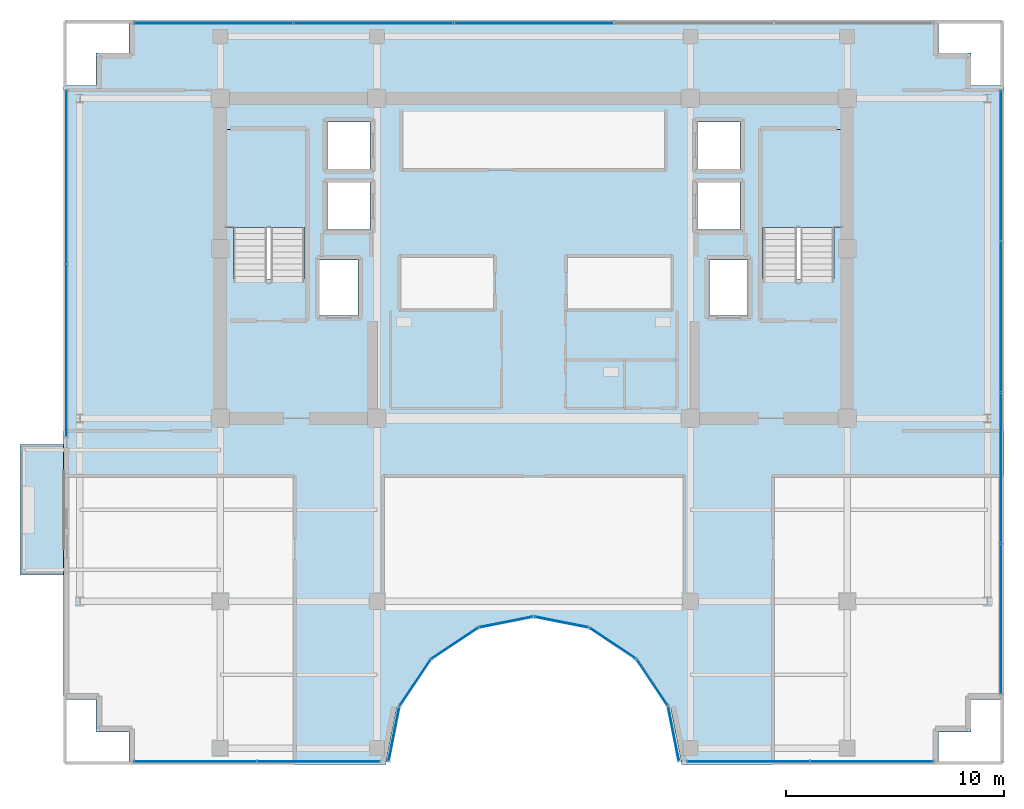
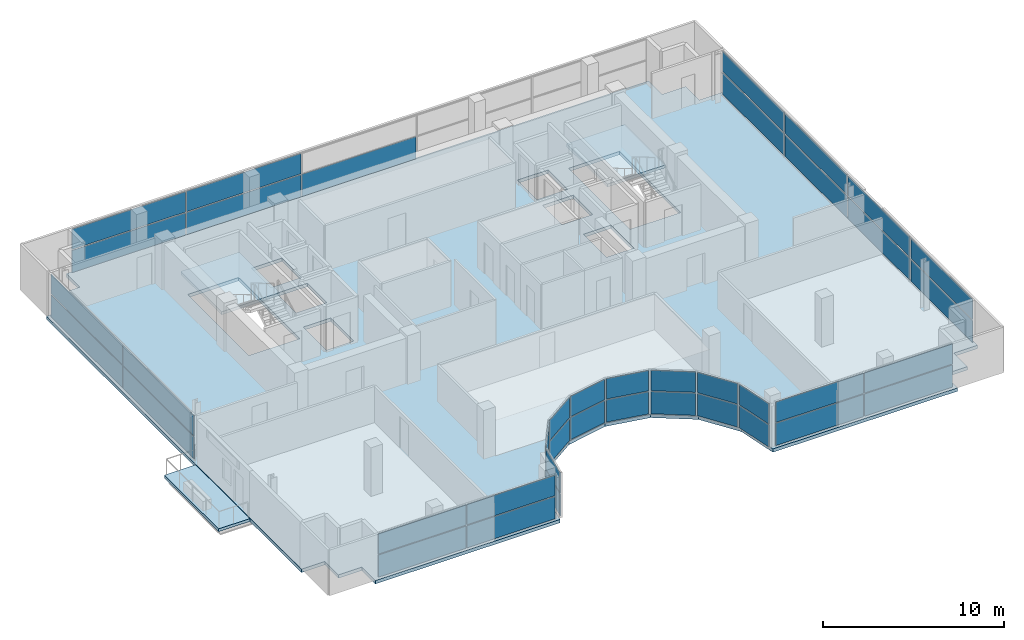
# One storey, part 21 of 28: 41 plates, 4 slabs, 15 elements without a shape of their own.
"""IFC4 building model written with IfcOpenShell, lengths in metres."""

from ifc_helpers import new_model, si_unit, direction, frame, origin, origin_2d, place, context, subcontext, project, spatial, polyline, rectangle, outline, extrude, source, transform, mapped, material, layer, layer_set, type_object, element, aggregate, save


model = new_model("IFC4")

# Units and contexts
model_context = context("Model", 3, precision=1e-05, world=origin(), true_north=direction((0.0, 1.0)))
body_context = subcontext(model_context, "Body", "Model", "MODEL_VIEW")
ifc_project = project(units=[si_unit("LENGTHUNIT", "METRE"), si_unit("AREAUNIT", "SQUARE_METRE"), si_unit("VOLUMEUNIT", "CUBIC_METRE"), si_unit("PLANEANGLEUNIT", "RADIAN"), si_unit("MASSUNIT", "GRAM", prefix="KILO")], contexts=[model_context])

# Site, building, storey
site_placement = place(None, origin())
site = spatial("IfcSite", under=ifc_project, at=site_placement, CompositionType="ELEMENT")
building_placement = place(site_placement, origin())
building = spatial("IfcBuilding", under=site, at=building_placement, Name="Zarnakvel Exchange Tower", CompositionType="ELEMENT")
storey_placement = place(building_placement, frame((0.0, 0.0, 268.300048828125)))
storey = spatial("IfcBuildingStorey", under=building, at=storey_placement, Name="L76", CompositionType="ELEMENT", Elevation=268.300048828125)

# Stair, slab
ifc_material_1 = material(Name="Concrete C40/50", Category="concrete")
stair_type = type_object("IfcStairType", Name="STR-01", PredefinedType="HALF_TURN_STAIR", material=ifc_material_1)
stair_1_placement = place(storey_placement, origin())
stair_1 = element("IfcStair", 1, at=stair_1_placement, inside=storey, type_object=stair_type, Name="L76 Protected Core Exit Stair ST-01", PredefinedType="HALF_TURN_STAIR")
ifc_layer_1 = layer(ifc_material_1, 0.199951171875)
ifc_layer_set_1 = layer_set([ifc_layer_1], Name="Concrete C40/50")
slab_type_1 = type_object("IfcSlabType", Name="LDG-01", PredefinedType="LANDING", material=ifc_layer_set_1)
slab_1_placement = place(storey_placement, frame((0.0, 0.0, 1.449951171875)))
slab_1 = element("IfcSlab", 2, at=slab_1_placement, type_object=slab_type_1, Name="ST-01 landing 1", PredefinedType="LANDING", context=body_context, shape_type="SweptSolid", body=[
    extrude(outline(polyline([(-14.18994140625, 7.570068359375), (-10.4599609375, 7.570068359375), (-10.4599609375, 12.080078125), (-14.18994140625, 12.080078125), (-14.18994140625, 7.570068359375)])), origin(), (0.0, 0.0, 1.0), 0.199951171875),
])
aggregate(stair_1, [slab_1])

stair_2_placement = place(storey_placement, origin())
stair_2 = element("IfcStair", 3, at=stair_2_placement, inside=storey, type_object=stair_type, Name="L76 Protected Core Exit Stair ST-02", PredefinedType="HALF_TURN_STAIR")
slab_2_placement = place(storey_placement, frame((0.0, 0.0, 1.449951171875)))
slab_2 = element("IfcSlab", 4, at=slab_2_placement, type_object=slab_type_1, Name="ST-02 landing 1", PredefinedType="LANDING", context=body_context, shape_type="SweptSolid", body=[
    extrude(outline(polyline([(10.4599609375, 7.570068359375), (14.18994140625, 7.570068359375), (14.18994140625, 12.080078125), (10.4599609375, 12.080078125), (10.4599609375, 7.570068359375)])), origin(), (0.0, 0.0, 1.0), 0.199951171875),
])
aggregate(stair_2, [slab_2])

# Slabs
ifc_layer_2 = layer(ifc_material_1, 0.22509765625)
ifc_layer_set_2 = layer_set([ifc_layer_2], Name="Concrete C40/50")
slab_type_2 = type_object("IfcSlabType", Name="SL-04", PredefinedType="FLOOR", material=ifc_layer_set_2)
slab_3_placement = place(storey_placement, frame((0.0, 0.0, -0.22509765625)))
element("IfcSlab", 5, at=slab_3_placement, inside=storey, type_object=slab_type_2, Name="L76 Primary Structural Floor Slab", PredefinedType="FLOOR", context=body_context, shape_type="SweptSolid", body=[
    extrude(outline(polyline([(-21.60009765625, -14.10009765625), (-20.10009765625, -14.10009765625), (-20.10009765625, -15.60009765625), (-18.60009765625, -15.60009765625), (-18.60009765625, -17.10009765625), (-6.800048828125, -17.10009765625), (-6.282470703125, -14.497802734375), (-4.808349609375, -12.291748046875), (-2.602294921875, -10.817626953125), (0.0, -10.300048828125), (2.602294921875, -10.817626953125), (4.808349609375, -12.291748046875), (6.282470703125, -14.497802734375), (6.800048828125, -17.10009765625), (18.60009765625, -17.10009765625), (18.60009765625, -15.60009765625), (20.10009765625, -15.60009765625), (20.10009765625, -14.10009765625), (21.60009765625, -14.10009765625), (21.60009765625, 14.10009765625), (20.10009765625, 14.10009765625), (20.10009765625, 15.60009765625), (18.60009765625, 15.60009765625), (18.60009765625, 17.10009765625), (-18.60009765625, 17.10009765625), (-18.60009765625, 15.60009765625), (-20.10009765625, 15.60009765625), (-20.10009765625, 14.10009765625), (-21.60009765625, 14.10009765625), (-21.60009765625, -14.10009765625)]), holes=[polyline([(-13.800048828125, 5.2099609375), (-10.5400390625, 5.2099609375), (-10.5400390625, 12.0), (-13.800048828125, 12.0), (-13.800048828125, 5.2099609375)]), polyline([(10.5400390625, 5.2099609375), (13.800048828125, 5.2099609375), (13.800048828125, 12.0), (10.5400390625, 12.0), (10.5400390625, 5.2099609375)]), polyline([(-9.830078125, 3.52001953125), (-8.070068359375, 3.52001953125), (-8.070068359375, 6.080078125), (-9.830078125, 6.080078125), (-9.830078125, 3.52001953125)]), polyline([(8.070068359375, 3.52001953125), (9.830078125, 3.52001953125), (9.830078125, 6.080078125), (8.070068359375, 6.080078125), (8.070068359375, 3.52001953125)]), polyline([(-9.47998046875, 7.469970703125), (-7.52001953125, 7.469970703125), (-7.52001953125, 9.6298828125), (-9.47998046875, 9.6298828125), (-9.47998046875, 7.469970703125)]), polyline([(-9.47998046875, 10.27001953125), (-7.52001953125, 10.27001953125), (-7.52001953125, 12.429931640625), (-9.47998046875, 12.429931640625), (-9.47998046875, 10.27001953125)]), polyline([(7.52001953125, 7.469970703125), (9.47998046875, 7.469970703125), (9.47998046875, 9.6298828125), (7.52001953125, 9.6298828125), (7.52001953125, 7.469970703125)]), polyline([(7.52001953125, 10.27001953125), (9.47998046875, 10.27001953125), (9.47998046875, 12.429931640625), (7.52001953125, 12.429931640625), (7.52001953125, 10.27001953125)])]), origin(), (0.0, 0.0, 1.0), 0.22509765625),
])
ifc_layer_3 = layer(ifc_material_1, 0.18994140625)
ifc_layer_set_3 = layer_set([ifc_layer_3], Name="Concrete C40/50")
slab_type_3 = type_object("IfcSlabType", Name="SL-08", PredefinedType="USERDEFINED", material=ifc_layer_set_3)
slab_4_placement = place(storey_placement, frame((0.0, 0.0, -0.22509765625)))
element("IfcSlab", 6, at=slab_4_placement, inside=storey, type_object=slab_type_3, Name="L76 Planted Loggia Balcony Slab BAL-L76-W", ObjectType="BALCONY", PredefinedType="USERDEFINED", context=body_context, shape_type="SweptSolid", body=[
    extrude(outline(polyline([(-23.60009765625, -8.39990234375), (-21.60009765625, -8.39990234375), (-21.60009765625, -2.39990234375), (-23.60009765625, -2.39990234375), (-23.60009765625, -8.39990234375)])), origin(), (0.0, 0.0, 1.0), 0.18994140625),
])

# Curtain wall, plate
ifc_material_2 = material(Name="Architectural Bronze Anodised Aluminium", Category="aluminium")
ifc_layer_4 = layer(ifc_material_2, 0.159912109375)
ifc_layer_set_4 = layer_set([ifc_layer_4], Name="Architectural Bronze Anodised Aluminium")
curtain_wall_type_1 = type_object("IfcCurtainWallType", Name="CW-06", PredefinedType="NOTDEFINED", material=ifc_layer_set_4)
curtain_wall_1_placement = place(storey_placement, origin())
curtain_wall_1 = element("IfcCurtainWall", 7, at=curtain_wall_1_placement, inside=storey, type_object=curtain_wall_type_1, Name="L76 Curtain Wall CW-L76-NC1 (CW-06)", PredefinedType="NOTDEFINED")
ifc_material_3 = material(Name="Double Low-E Laminated Vision Glass", Category="glass")
ifc_layer_5 = layer(ifc_material_3, 0.033935546875)
ifc_layer_set_5 = layer_set([ifc_layer_5], Name="Double Low-E Laminated Vision Glass")
plate_type_1 = type_object("IfcPlateType", Name="CWP-06", PredefinedType="CURTAIN_PANEL", material=ifc_layer_set_5)
shared_shape_1 = source(origin(), body_context, "Body", "SweptSolid", [
    extrude(rectangle(XDim=2.476318359375, YDim=0.033935546875, at=origin_2d()), origin(), (0.0, 0.0, 1.0), 1.49365234375),
])
plate_1_placement = place(storey_placement, frame((-6.42578125, -15.701904296875, 0.06494140625), z_axis=(0.0, 0.0, 1.0), x_axis=(0.195090448398, 0.980785255264, 0.0)))
plate_1 = element("IfcPlate", 8, at=plate_1_placement, type_object=plate_type_1, Name="CW-06 panel 1.1", PredefinedType="CURTAIN_PANEL", context=body_context, shape_type="MappedRepresentation", body=[
    mapped(shared_shape_1, transform((0.0, 0.0, 0.0), x_axis=(1.0, 0.0, 0.0), y_axis=(0.0, 1.0, 0.0), z_axis=(0.0, 0.0, 1.0), scale=1.0)),
])

curtain_wall_2_placement = place(storey_placement, origin())
curtain_wall_2 = element("IfcCurtainWall", 9, at=curtain_wall_2_placement, inside=storey, type_object=curtain_wall_type_1, Name="L76 Curtain Wall CW-L76-NC2 (CW-06)", PredefinedType="NOTDEFINED")
plate_2_placement = place(storey_placement, frame((-5.447509765625, -13.340087890625, 0.06494140625), z_axis=(0.0, 0.0, 1.0), x_axis=(0.555570233339, 0.831469612089, 0.0)))
plate_2 = element("IfcPlate", 10, at=plate_2_placement, type_object=plate_type_1, Name="CW-06 panel 1.1", PredefinedType="CURTAIN_PANEL", context=body_context, shape_type="MappedRepresentation", body=[
    mapped(shared_shape_1, transform((0.0, 0.0, 0.0), x_axis=(1.0, 0.0, 0.0), y_axis=(0.0, 1.0, 0.0), z_axis=(0.0, 0.0, 1.0), scale=1.0)),
])

curtain_wall_3_placement = place(storey_placement, origin())
curtain_wall_3 = element("IfcCurtainWall", 11, at=curtain_wall_3_placement, inside=storey, type_object=curtain_wall_type_1, Name="L76 Curtain Wall CW-L76-NC3 (CW-06)", PredefinedType="NOTDEFINED")
plate_3_placement = place(storey_placement, frame((-3.639892578125, -11.532470703125, 0.06494140625), z_axis=(0.0, 0.0, 1.0), x_axis=(0.831469612089, 0.555570233339, 0.0)))
plate_3 = element("IfcPlate", 12, at=plate_3_placement, type_object=plate_type_1, Name="CW-06 panel 1.1", PredefinedType="CURTAIN_PANEL", context=body_context, shape_type="MappedRepresentation", body=[
    mapped(shared_shape_1, transform((0.0, 0.0, 0.0), x_axis=(1.0, 0.0, 0.0), y_axis=(0.0, 1.0, 0.0), z_axis=(0.0, 0.0, 1.0), scale=1.0)),
])

curtain_wall_4_placement = place(storey_placement, origin())
curtain_wall_4 = element("IfcCurtainWall", 13, at=curtain_wall_4_placement, inside=storey, type_object=curtain_wall_type_1, Name="L76 Curtain Wall CW-L76-NC4 (CW-06)", PredefinedType="NOTDEFINED")
plate_4_placement = place(storey_placement, frame((-1.278076171875, -10.55419921875, 0.06494140625), z_axis=(0.0, 0.0, 1.0), x_axis=(0.980785255264, 0.195090448398, 0.0)))
plate_4 = element("IfcPlate", 14, at=plate_4_placement, type_object=plate_type_1, Name="CW-06 panel 1.1", PredefinedType="CURTAIN_PANEL", context=body_context, shape_type="MappedRepresentation", body=[
    mapped(shared_shape_1, transform((0.0, 0.0, 0.0), x_axis=(1.0, 0.0, 0.0), y_axis=(0.0, 1.0, 0.0), z_axis=(0.0, 0.0, 1.0), scale=1.0)),
])

curtain_wall_5_placement = place(storey_placement, origin())
curtain_wall_5 = element("IfcCurtainWall", 15, at=curtain_wall_5_placement, inside=storey, type_object=curtain_wall_type_1, Name="L76 Curtain Wall CW-L76-NC5 (CW-06)", PredefinedType="NOTDEFINED")
plate_5_placement = place(storey_placement, frame((1.278076171875, -10.55419921875, 0.06494140625), z_axis=(0.0, 0.0, 1.0), x_axis=(0.980785255264, -0.195090448398, 0.0)))
plate_5 = element("IfcPlate", 16, at=plate_5_placement, type_object=plate_type_1, Name="CW-06 panel 1.1", PredefinedType="CURTAIN_PANEL", context=body_context, shape_type="MappedRepresentation", body=[
    mapped(shared_shape_1, transform((0.0, 0.0, 0.0), x_axis=(1.0, 0.0, 0.0), y_axis=(0.0, 1.0, 0.0), z_axis=(0.0, 0.0, 1.0), scale=1.0)),
])

curtain_wall_6_placement = place(storey_placement, origin())
curtain_wall_6 = element("IfcCurtainWall", 17, at=curtain_wall_6_placement, inside=storey, type_object=curtain_wall_type_1, Name="L76 Curtain Wall CW-L76-NC6 (CW-06)", PredefinedType="NOTDEFINED")
plate_6_placement = place(storey_placement, frame((3.639892578125, -11.532470703125, 0.06494140625), z_axis=(0.0, 0.0, 1.0), x_axis=(0.831469612089, -0.555570233339, 0.0)))
plate_6 = element("IfcPlate", 18, at=plate_6_placement, type_object=plate_type_1, Name="CW-06 panel 1.1", PredefinedType="CURTAIN_PANEL", context=body_context, shape_type="MappedRepresentation", body=[
    mapped(shared_shape_1, transform((0.0, 0.0, 0.0), x_axis=(1.0, 0.0, 0.0), y_axis=(0.0, 1.0, 0.0), z_axis=(0.0, 0.0, 1.0), scale=1.0)),
])

curtain_wall_7_placement = place(storey_placement, origin())
curtain_wall_7 = element("IfcCurtainWall", 19, at=curtain_wall_7_placement, inside=storey, type_object=curtain_wall_type_1, Name="L76 Curtain Wall CW-L76-NC7 (CW-06)", PredefinedType="NOTDEFINED")
plate_7_placement = place(storey_placement, frame((5.447509765625, -13.340087890625, 0.06494140625), z_axis=(0.0, 0.0, 1.0), x_axis=(0.555570233339, -0.831469612089, 0.0)))
plate_7 = element("IfcPlate", 20, at=plate_7_placement, type_object=plate_type_1, Name="CW-06 panel 1.1", PredefinedType="CURTAIN_PANEL", context=body_context, shape_type="MappedRepresentation", body=[
    mapped(shared_shape_1, transform((0.0, 0.0, 0.0), x_axis=(1.0, 0.0, 0.0), y_axis=(0.0, 1.0, 0.0), z_axis=(0.0, 0.0, 1.0), scale=1.0)),
])

curtain_wall_8_placement = place(storey_placement, origin())
curtain_wall_8 = element("IfcCurtainWall", 21, at=curtain_wall_8_placement, inside=storey, type_object=curtain_wall_type_1, Name="L76 Curtain Wall CW-L76-NC8 (CW-06)", PredefinedType="NOTDEFINED")
plate_8_placement = place(storey_placement, frame((6.42578125, -15.701904296875, 0.06494140625), z_axis=(0.0, 0.0, 1.0), x_axis=(0.195090448398, -0.980785255264, 0.0)))
plate_8 = element("IfcPlate", 22, at=plate_8_placement, type_object=plate_type_1, Name="CW-06 panel 1.1", PredefinedType="CURTAIN_PANEL", context=body_context, shape_type="MappedRepresentation", body=[
    mapped(shared_shape_1, transform((0.0, 0.0, 0.0), x_axis=(1.0, 0.0, 0.0), y_axis=(0.0, 1.0, 0.0), z_axis=(0.0, 0.0, 1.0), scale=1.0)),
])

# Plate
shared_shape_2 = source(origin(), body_context, "Body", "SweptSolid", [
    extrude(rectangle(XDim=2.476318359375, YDim=0.033935546875, at=origin_2d()), origin(), (0.0, 0.0, 1.0), 1.371337890625),
])
plate_9_placement = place(storey_placement, frame((-6.42578125, -15.701904296875, 1.62353515625), z_axis=(0.0, 0.0, 1.0), x_axis=(0.195090448398, 0.980785255264, 0.0)))
plate_9 = element("IfcPlate", 23, at=plate_9_placement, type_object=plate_type_1, Name="CW-06 panel 1.2", PredefinedType="CURTAIN_PANEL", context=body_context, shape_type="MappedRepresentation", body=[
    mapped(shared_shape_2, transform((0.0, 0.0, 0.0), x_axis=(1.0, 0.0, 0.0), y_axis=(0.0, 1.0, 0.0), z_axis=(0.0, 0.0, 1.0), scale=1.0)),
])

aggregate(curtain_wall_1, [plate_1, plate_9])

plate_10_placement = place(storey_placement, frame((-5.447509765625, -13.340087890625, 1.62353515625), z_axis=(0.0, 0.0, 1.0), x_axis=(0.555570233339, 0.831469612089, 0.0)))
plate_10 = element("IfcPlate", 24, at=plate_10_placement, type_object=plate_type_1, Name="CW-06 panel 1.2", PredefinedType="CURTAIN_PANEL", context=body_context, shape_type="MappedRepresentation", body=[
    mapped(shared_shape_2, transform((0.0, 0.0, 0.0), x_axis=(1.0, 0.0, 0.0), y_axis=(0.0, 1.0, 0.0), z_axis=(0.0, 0.0, 1.0), scale=1.0)),
])

aggregate(curtain_wall_2, [plate_2, plate_10])

plate_11_placement = place(storey_placement, frame((-3.639892578125, -11.532470703125, 1.62353515625), z_axis=(0.0, 0.0, 1.0), x_axis=(0.831469612089, 0.555570233339, 0.0)))
plate_11 = element("IfcPlate", 25, at=plate_11_placement, type_object=plate_type_1, Name="CW-06 panel 1.2", PredefinedType="CURTAIN_PANEL", context=body_context, shape_type="MappedRepresentation", body=[
    mapped(shared_shape_2, transform((0.0, 0.0, 0.0), x_axis=(1.0, 0.0, 0.0), y_axis=(0.0, 1.0, 0.0), z_axis=(0.0, 0.0, 1.0), scale=1.0)),
])

aggregate(curtain_wall_3, [plate_3, plate_11])

plate_12_placement = place(storey_placement, frame((-1.278076171875, -10.55419921875, 1.62353515625), z_axis=(0.0, 0.0, 1.0), x_axis=(0.980785255264, 0.195090448398, 0.0)))
plate_12 = element("IfcPlate", 26, at=plate_12_placement, type_object=plate_type_1, Name="CW-06 panel 1.2", PredefinedType="CURTAIN_PANEL", context=body_context, shape_type="MappedRepresentation", body=[
    mapped(shared_shape_2, transform((0.0, 0.0, 0.0), x_axis=(1.0, 0.0, 0.0), y_axis=(0.0, 1.0, 0.0), z_axis=(0.0, 0.0, 1.0), scale=1.0)),
])

aggregate(curtain_wall_4, [plate_4, plate_12])

plate_13_placement = place(storey_placement, frame((1.278076171875, -10.55419921875, 1.62353515625), z_axis=(0.0, 0.0, 1.0), x_axis=(0.980785255264, -0.195090448398, 0.0)))
plate_13 = element("IfcPlate", 27, at=plate_13_placement, type_object=plate_type_1, Name="CW-06 panel 1.2", PredefinedType="CURTAIN_PANEL", context=body_context, shape_type="MappedRepresentation", body=[
    mapped(shared_shape_2, transform((0.0, 0.0, 0.0), x_axis=(1.0, 0.0, 0.0), y_axis=(0.0, 1.0, 0.0), z_axis=(0.0, 0.0, 1.0), scale=1.0)),
])

aggregate(curtain_wall_5, [plate_5, plate_13])

plate_14_placement = place(storey_placement, frame((3.639892578125, -11.532470703125, 1.62353515625), z_axis=(0.0, 0.0, 1.0), x_axis=(0.831469612089, -0.555570233339, 0.0)))
plate_14 = element("IfcPlate", 28, at=plate_14_placement, type_object=plate_type_1, Name="CW-06 panel 1.2", PredefinedType="CURTAIN_PANEL", context=body_context, shape_type="MappedRepresentation", body=[
    mapped(shared_shape_2, transform((0.0, 0.0, 0.0), x_axis=(1.0, 0.0, 0.0), y_axis=(0.0, 1.0, 0.0), z_axis=(0.0, 0.0, 1.0), scale=1.0)),
])

aggregate(curtain_wall_6, [plate_6, plate_14])

plate_15_placement = place(storey_placement, frame((5.447509765625, -13.340087890625, 1.62353515625), z_axis=(0.0, 0.0, 1.0), x_axis=(0.555570233339, -0.831469612089, 0.0)))
plate_15 = element("IfcPlate", 29, at=plate_15_placement, type_object=plate_type_1, Name="CW-06 panel 1.2", PredefinedType="CURTAIN_PANEL", context=body_context, shape_type="MappedRepresentation", body=[
    mapped(shared_shape_2, transform((0.0, 0.0, 0.0), x_axis=(1.0, 0.0, 0.0), y_axis=(0.0, 1.0, 0.0), z_axis=(0.0, 0.0, 1.0), scale=1.0)),
])

aggregate(curtain_wall_7, [plate_7, plate_15])

plate_16_placement = place(storey_placement, frame((6.42578125, -15.701904296875, 1.62353515625), z_axis=(0.0, 0.0, 1.0), x_axis=(0.195090448398, -0.980785255264, 0.0)))
plate_16 = element("IfcPlate", 30, at=plate_16_placement, type_object=plate_type_1, Name="CW-06 panel 1.2", PredefinedType="CURTAIN_PANEL", context=body_context, shape_type="MappedRepresentation", body=[
    mapped(shared_shape_2, transform((0.0, 0.0, 0.0), x_axis=(1.0, 0.0, 0.0), y_axis=(0.0, 1.0, 0.0), z_axis=(0.0, 0.0, 1.0), scale=1.0)),
])

aggregate(curtain_wall_8, [plate_8, plate_16])

# Curtain wall, plates
curtain_wall_9_placement = place(storey_placement, origin())
curtain_wall_9 = element("IfcCurtainWall", 31, at=curtain_wall_9_placement, inside=storey, type_object=curtain_wall_type_1, Name="L76 Curtain Wall CW-L76-NSW (CW-06)", PredefinedType="NOTDEFINED")
shared_shape_3 = source(origin(), body_context, "Body", "SweptSolid", [
    extrude(rectangle(XDim=5.6025390625, YDim=0.033935546875, at=origin_2d()), origin(), (0.0, 0.0, 1.0), 1.49365234375),
])
plate_17_placement = place(storey_placement, frame((-15.53369140625, -16.9599609375, 0.06494140625), z_axis=(0.0, 0.0, 1.0), x_axis=(1.0, 0.0, 0.0)))
plate_17 = element("IfcPlate", 32, at=plate_17_placement, type_object=plate_type_1, Name="CW-06 panel 1.1", PredefinedType="CURTAIN_PANEL", context=body_context, shape_type="MappedRepresentation", body=[
    mapped(shared_shape_3, transform((0.0, 0.0, 0.0), x_axis=(1.0, 0.0, 0.0), y_axis=(0.0, 1.0, 0.0), z_axis=(0.0, 0.0, 1.0), scale=1.0)),
])
plate_18_placement = place(storey_placement, frame((-9.8662109375, -16.9599609375, 0.06494140625), z_axis=(0.0, 0.0, 1.0), x_axis=(1.0, 0.0, 0.0)))
plate_18 = element("IfcPlate", 33, at=plate_18_placement, type_object=plate_type_1, Name="CW-06 panel 2.1", PredefinedType="CURTAIN_PANEL", context=body_context, shape_type="MappedRepresentation", body=[
    mapped(shared_shape_3, transform((0.0, 0.0, 0.0), x_axis=(1.0, 0.0, 0.0), y_axis=(0.0, 1.0, 0.0), z_axis=(0.0, 0.0, 1.0), scale=1.0)),
])

curtain_wall_10_placement = place(storey_placement, origin())
curtain_wall_10 = element("IfcCurtainWall", 34, at=curtain_wall_10_placement, inside=storey, type_object=curtain_wall_type_1, Name="L76 Curtain Wall CW-L76-NSE (CW-06)", PredefinedType="NOTDEFINED")
plate_19_placement = place(storey_placement, frame((9.8662109375, -16.9599609375, 0.06494140625), z_axis=(0.0, 0.0, 1.0), x_axis=(1.0, 0.0, 0.0)))
plate_19 = element("IfcPlate", 35, at=plate_19_placement, type_object=plate_type_1, Name="CW-06 panel 1.1", PredefinedType="CURTAIN_PANEL", context=body_context, shape_type="MappedRepresentation", body=[
    mapped(shared_shape_3, transform((0.0, 0.0, 0.0), x_axis=(1.0, 0.0, 0.0), y_axis=(0.0, 1.0, 0.0), z_axis=(0.0, 0.0, 1.0), scale=1.0)),
])
plate_20_placement = place(storey_placement, frame((15.53369140625, -16.9599609375, 0.06494140625), z_axis=(0.0, 0.0, 1.0), x_axis=(1.0, 0.0, 0.0)))
plate_20 = element("IfcPlate", 36, at=plate_20_placement, type_object=plate_type_1, Name="CW-06 panel 2.1", PredefinedType="CURTAIN_PANEL", context=body_context, shape_type="MappedRepresentation", body=[
    mapped(shared_shape_3, transform((0.0, 0.0, 0.0), x_axis=(1.0, 0.0, 0.0), y_axis=(0.0, 1.0, 0.0), z_axis=(0.0, 0.0, 1.0), scale=1.0)),
])

# Plate
shared_shape_4 = source(origin(), body_context, "Body", "SweptSolid", [
    extrude(rectangle(XDim=5.6025390625, YDim=0.033935546875, at=origin_2d()), origin(), (0.0, 0.0, 1.0), 1.371337890625),
])
plate_21_placement = place(storey_placement, frame((-15.53369140625, -16.9599609375, 1.62353515625), z_axis=(0.0, 0.0, 1.0), x_axis=(1.0, 0.0, 0.0)))
plate_21 = element("IfcPlate", 37, at=plate_21_placement, type_object=plate_type_1, Name="CW-06 panel 1.2", PredefinedType="CURTAIN_PANEL", context=body_context, shape_type="MappedRepresentation", body=[
    mapped(shared_shape_4, transform((0.0, 0.0, 0.0), x_axis=(1.0, 0.0, 0.0), y_axis=(0.0, 1.0, 0.0), z_axis=(0.0, 0.0, 1.0), scale=1.0)),
])

plate_22_placement = place(storey_placement, frame((-9.8662109375, -16.9599609375, 1.62353515625), z_axis=(0.0, 0.0, 1.0), x_axis=(1.0, 0.0, 0.0)))
plate_22 = element("IfcPlate", 38, at=plate_22_placement, type_object=plate_type_1, Name="CW-06 panel 2.2", PredefinedType="CURTAIN_PANEL", context=body_context, shape_type="MappedRepresentation", body=[
    mapped(shared_shape_4, transform((0.0, 0.0, 0.0), x_axis=(1.0, 0.0, 0.0), y_axis=(0.0, 1.0, 0.0), z_axis=(0.0, 0.0, 1.0), scale=1.0)),
])

aggregate(curtain_wall_9, [plate_17, plate_21, plate_18, plate_22])

plate_23_placement = place(storey_placement, frame((9.8662109375, -16.9599609375, 1.62353515625), z_axis=(0.0, 0.0, 1.0), x_axis=(1.0, 0.0, 0.0)))
plate_23 = element("IfcPlate", 39, at=plate_23_placement, type_object=plate_type_1, Name="CW-06 panel 1.2", PredefinedType="CURTAIN_PANEL", context=body_context, shape_type="MappedRepresentation", body=[
    mapped(shared_shape_4, transform((0.0, 0.0, 0.0), x_axis=(1.0, 0.0, 0.0), y_axis=(0.0, 1.0, 0.0), z_axis=(0.0, 0.0, 1.0), scale=1.0)),
])

plate_24_placement = place(storey_placement, frame((15.53369140625, -16.9599609375, 1.62353515625), z_axis=(0.0, 0.0, 1.0), x_axis=(1.0, 0.0, 0.0)))
plate_24 = element("IfcPlate", 40, at=plate_24_placement, type_object=plate_type_1, Name="CW-06 panel 2.2", PredefinedType="CURTAIN_PANEL", context=body_context, shape_type="MappedRepresentation", body=[
    mapped(shared_shape_4, transform((0.0, 0.0, 0.0), x_axis=(1.0, 0.0, 0.0), y_axis=(0.0, 1.0, 0.0), z_axis=(0.0, 0.0, 1.0), scale=1.0)),
])

aggregate(curtain_wall_10, [plate_19, plate_23, plate_20, plate_24])

# Curtain wall, plates
curtain_wall_11_placement = place(storey_placement, origin())
curtain_wall_11 = element("IfcCurtainWall", 41, at=curtain_wall_11_placement, inside=storey, type_object=curtain_wall_type_1, Name="L76 Curtain Wall CW-L76-N1 (CW-06)", PredefinedType="NOTDEFINED")
shared_shape_5 = source(origin(), body_context, "Body", "SweptSolid", [
    extrude(rectangle(XDim=7.262451171875, YDim=0.033935546875, at=origin_2d()), origin(), (0.0, 0.0, 1.0), 1.49365234375),
])
plate_25_placement = place(storey_placement, frame((-14.703857421875, 16.9599609375, 0.06494140625), z_axis=(0.0, 0.0, 1.0), x_axis=(1.0, 0.0, 0.0)))
plate_25 = element("IfcPlate", 42, at=plate_25_placement, type_object=plate_type_1, Name="CW-06 panel 1.1", PredefinedType="CURTAIN_PANEL", context=body_context, shape_type="MappedRepresentation", body=[
    mapped(shared_shape_5, transform((0.0, 0.0, 0.0), x_axis=(1.0, 0.0, 0.0), y_axis=(0.0, 1.0, 0.0), z_axis=(0.0, 0.0, 1.0), scale=1.0)),
])
shared_shape_6 = source(origin(), body_context, "Body", "SweptSolid", [
    extrude(rectangle(XDim=7.262451171875, YDim=0.033935546875, at=origin_2d()), origin(), (0.0, 0.0, 1.0), 1.371337890625),
])
plate_26_placement = place(storey_placement, frame((-14.703857421875, 16.9599609375, 1.62353515625), z_axis=(0.0, 0.0, 1.0), x_axis=(1.0, 0.0, 0.0)))
plate_26 = element("IfcPlate", 43, at=plate_26_placement, type_object=plate_type_1, Name="CW-06 panel 1.2", PredefinedType="CURTAIN_PANEL", context=body_context, shape_type="MappedRepresentation", body=[
    mapped(shared_shape_6, transform((0.0, 0.0, 0.0), x_axis=(1.0, 0.0, 0.0), y_axis=(0.0, 1.0, 0.0), z_axis=(0.0, 0.0, 1.0), scale=1.0)),
])
shared_shape_7 = source(origin(), body_context, "Body", "SweptSolid", [
    extrude(rectangle(XDim=7.294921875, YDim=0.033935546875, at=origin_2d()), origin(), (0.0, 0.0, 1.0), 1.49365234375),
])
plate_27_placement = place(storey_placement, frame((-7.360107421875, 16.9599609375, 0.06494140625), z_axis=(0.0, 0.0, 1.0), x_axis=(1.0, 0.0, 0.0)))
plate_27 = element("IfcPlate", 44, at=plate_27_placement, type_object=plate_type_1, Name="CW-06 panel 2.1", PredefinedType="CURTAIN_PANEL", context=body_context, shape_type="MappedRepresentation", body=[
    mapped(shared_shape_7, transform((0.0, 0.0, 0.0), x_axis=(1.0, 0.0, 0.0), y_axis=(0.0, 1.0, 0.0), z_axis=(0.0, 0.0, 1.0), scale=1.0)),
])
plate_28_placement = place(storey_placement, frame((0.0, 16.9599609375, 0.06494140625), z_axis=(0.0, 0.0, 1.0), x_axis=(1.0, 0.0, 0.0)))
plate_28 = element("IfcPlate", 45, at=plate_28_placement, type_object=plate_type_1, Name="CW-06 panel 3.1", PredefinedType="CURTAIN_PANEL", context=body_context, shape_type="MappedRepresentation", body=[
    mapped(shared_shape_7, transform((0.0, 0.0, 0.0), x_axis=(1.0, 0.0, 0.0), y_axis=(0.0, 1.0, 0.0), z_axis=(0.0, 0.0, 1.0), scale=1.0)),
])
shared_shape_8 = source(origin(), body_context, "Body", "SweptSolid", [
    extrude(rectangle(XDim=7.294921875, YDim=0.033935546875, at=origin_2d()), origin(), (0.0, 0.0, 1.0), 1.371337890625),
])
plate_29_placement = place(storey_placement, frame((-7.360107421875, 16.9599609375, 1.62353515625), z_axis=(0.0, 0.0, 1.0), x_axis=(1.0, 0.0, 0.0)))
plate_29 = element("IfcPlate", 46, at=plate_29_placement, type_object=plate_type_1, Name="CW-06 panel 2.2", PredefinedType="CURTAIN_PANEL", context=body_context, shape_type="MappedRepresentation", body=[
    mapped(shared_shape_8, transform((0.0, 0.0, 0.0), x_axis=(1.0, 0.0, 0.0), y_axis=(0.0, 1.0, 0.0), z_axis=(0.0, 0.0, 1.0), scale=1.0)),
])
aggregate(curtain_wall_11, [plate_25, plate_26, plate_27, plate_29, plate_28])

ifc_layer_6 = layer(ifc_material_2, 0.199951171875)
ifc_layer_set_6 = layer_set([ifc_layer_6], Name="Architectural Bronze Anodised Aluminium")
curtain_wall_type_2 = type_object("IfcCurtainWallType", Name="CW-04", PredefinedType="NOTDEFINED", material=ifc_layer_set_6)
curtain_wall_12_placement = place(storey_placement, origin())
curtain_wall_12 = element("IfcCurtainWall", 47, at=curtain_wall_12_placement, inside=storey, type_object=curtain_wall_type_2, Name="L76 Curtain Wall CW-L76-WN (CW-04)", PredefinedType="NOTDEFINED")
ifc_layer_7 = layer(ifc_material_3, 0.028076171875)
ifc_layer_set_7 = layer_set([ifc_layer_7], Name="Double Low-E Laminated Vision Glass")
plate_type_2 = type_object("IfcPlateType", Name="CWP-04", PredefinedType="CURTAIN_PANEL", material=ifc_layer_set_7)
shared_shape_9 = source(origin(), body_context, "Body", "SweptSolid", [
    extrude(rectangle(XDim=7.887451171875, YDim=0.028076171875, at=origin_2d()), origin(), (0.0, 0.0, 1.0), 1.478759765625),
])
plate_30_placement = place(storey_placement, frame((-21.4599609375, 1.918701171875, 0.07470703125), z_axis=(0.0, 0.0, 1.0), x_axis=(0.0, 1.0, 0.0)))
plate_30 = element("IfcPlate", 48, at=plate_30_placement, type_object=plate_type_2, Name="CW-04 panel 1.1", PredefinedType="CURTAIN_PANEL", context=body_context, shape_type="MappedRepresentation", body=[
    mapped(shared_shape_9, transform((0.0, 0.0, 0.0), x_axis=(1.0, 0.0, 0.0), y_axis=(0.0, 1.0, 0.0), z_axis=(0.0, 0.0, 1.0), scale=1.0)),
])
plate_31_placement = place(storey_placement, frame((-21.4599609375, 9.88134765625, 0.07470703125), z_axis=(0.0, 0.0, 1.0), x_axis=(0.0, 1.0, 0.0)))
plate_31 = element("IfcPlate", 49, at=plate_31_placement, type_object=plate_type_2, Name="CW-04 panel 2.1", PredefinedType="CURTAIN_PANEL", context=body_context, shape_type="MappedRepresentation", body=[
    mapped(shared_shape_9, transform((0.0, 0.0, 0.0), x_axis=(1.0, 0.0, 0.0), y_axis=(0.0, 1.0, 0.0), z_axis=(0.0, 0.0, 1.0), scale=1.0)),
])
shared_shape_10 = source(origin(), body_context, "Body", "SweptSolid", [
    extrude(rectangle(XDim=7.887451171875, YDim=0.028076171875, at=origin_2d()), origin(), (0.0, 0.0, 1.0), 1.356201171875),
])
plate_32_placement = place(storey_placement, frame((-21.4599609375, 1.918701171875, 1.62890625), z_axis=(0.0, 0.0, 1.0), x_axis=(0.0, 1.0, 0.0)))
plate_32 = element("IfcPlate", 50, at=plate_32_placement, type_object=plate_type_2, Name="CW-04 panel 1.2", PredefinedType="CURTAIN_PANEL", context=body_context, shape_type="MappedRepresentation", body=[
    mapped(shared_shape_10, transform((0.0, 0.0, 0.0), x_axis=(1.0, 0.0, 0.0), y_axis=(0.0, 1.0, 0.0), z_axis=(0.0, 0.0, 1.0), scale=1.0)),
])
plate_33_placement = place(storey_placement, frame((-21.4599609375, 9.88134765625, 1.62890625), z_axis=(0.0, 0.0, 1.0), x_axis=(0.0, 1.0, 0.0)))
plate_33 = element("IfcPlate", 51, at=plate_33_placement, type_object=plate_type_2, Name="CW-04 panel 2.2", PredefinedType="CURTAIN_PANEL", context=body_context, shape_type="MappedRepresentation", body=[
    mapped(shared_shape_10, transform((0.0, 0.0, 0.0), x_axis=(1.0, 0.0, 0.0), y_axis=(0.0, 1.0, 0.0), z_axis=(0.0, 0.0, 1.0), scale=1.0)),
])
aggregate(curtain_wall_12, [plate_30, plate_32, plate_31, plate_33])

curtain_wall_13_placement = place(storey_placement, origin())
curtain_wall_13 = element("IfcCurtainWall", 52, at=curtain_wall_13_placement, inside=storey, type_object=curtain_wall_type_2, Name="L76 Curtain Wall CW-L76-E1 (CW-04)", PredefinedType="NOTDEFINED")
shared_shape_11 = source(origin(), body_context, "Body", "SweptSolid", [
    extrude(rectangle(XDim=6.83740234375, YDim=0.028076171875, at=origin_2d()), origin(), (0.0, 0.0, 1.0), 1.478759765625),
])
plate_34_placement = place(storey_placement, frame((21.4599609375, -10.40625, 0.07470703125), z_axis=(0.0, 0.0, 1.0), x_axis=(0.0, 1.0, 0.0)))
plate_34 = element("IfcPlate", 53, at=plate_34_placement, type_object=plate_type_2, Name="CW-04 panel 1.1", PredefinedType="CURTAIN_PANEL", context=body_context, shape_type="MappedRepresentation", body=[
    mapped(shared_shape_11, transform((0.0, 0.0, 0.0), x_axis=(1.0, 0.0, 0.0), y_axis=(0.0, 1.0, 0.0), z_axis=(0.0, 0.0, 1.0), scale=1.0)),
])
plate_35_placement = place(storey_placement, frame((21.4599609375, 10.40625, 0.07470703125), z_axis=(0.0, 0.0, 1.0), x_axis=(0.0, 1.0, 0.0)))
plate_35 = element("IfcPlate", 54, at=plate_35_placement, type_object=plate_type_2, Name="CW-04 panel 4.1", PredefinedType="CURTAIN_PANEL", context=body_context, shape_type="MappedRepresentation", body=[
    mapped(shared_shape_11, transform((0.0, 0.0, 0.0), x_axis=(1.0, 0.0, 0.0), y_axis=(0.0, 1.0, 0.0), z_axis=(0.0, 0.0, 1.0), scale=1.0)),
])
shared_shape_12 = source(origin(), body_context, "Body", "SweptSolid", [
    extrude(rectangle(XDim=6.83740234375, YDim=0.028076171875, at=origin_2d()), origin(), (0.0, 0.0, 1.0), 1.356201171875),
])
plate_36_placement = place(storey_placement, frame((21.4599609375, -10.40625, 1.62890625), z_axis=(0.0, 0.0, 1.0), x_axis=(0.0, 1.0, 0.0)))
plate_36 = element("IfcPlate", 55, at=plate_36_placement, type_object=plate_type_2, Name="CW-04 panel 1.2", PredefinedType="CURTAIN_PANEL", context=body_context, shape_type="MappedRepresentation", body=[
    mapped(shared_shape_12, transform((0.0, 0.0, 0.0), x_axis=(1.0, 0.0, 0.0), y_axis=(0.0, 1.0, 0.0), z_axis=(0.0, 0.0, 1.0), scale=1.0)),
])
plate_37_placement = place(storey_placement, frame((21.4599609375, 10.40625, 1.62890625), z_axis=(0.0, 0.0, 1.0), x_axis=(0.0, 1.0, 0.0)))
plate_37 = element("IfcPlate", 56, at=plate_37_placement, type_object=plate_type_2, Name="CW-04 panel 4.2", PredefinedType="CURTAIN_PANEL", context=body_context, shape_type="MappedRepresentation", body=[
    mapped(shared_shape_12, transform((0.0, 0.0, 0.0), x_axis=(1.0, 0.0, 0.0), y_axis=(0.0, 1.0, 0.0), z_axis=(0.0, 0.0, 1.0), scale=1.0)),
])
shared_shape_13 = source(origin(), body_context, "Body", "SweptSolid", [
    extrude(rectangle(XDim=6.875, YDim=0.028076171875, at=origin_2d()), origin(), (0.0, 0.0, 1.0), 1.478759765625),
])
plate_38_placement = place(storey_placement, frame((21.4599609375, -3.47509765625, 0.07470703125), z_axis=(0.0, 0.0, 1.0), x_axis=(0.0, 1.0, 0.0)))
plate_38 = element("IfcPlate", 57, at=plate_38_placement, type_object=plate_type_2, Name="CW-04 panel 2.1", PredefinedType="CURTAIN_PANEL", context=body_context, shape_type="MappedRepresentation", body=[
    mapped(shared_shape_13, transform((0.0, 0.0, 0.0), x_axis=(1.0, 0.0, 0.0), y_axis=(0.0, 1.0, 0.0), z_axis=(0.0, 0.0, 1.0), scale=1.0)),
])
plate_39_placement = place(storey_placement, frame((21.4599609375, 3.47509765625, 0.07470703125), z_axis=(0.0, 0.0, 1.0), x_axis=(0.0, 1.0, 0.0)))
plate_39 = element("IfcPlate", 58, at=plate_39_placement, type_object=plate_type_2, Name="CW-04 panel 3.1", PredefinedType="CURTAIN_PANEL", context=body_context, shape_type="MappedRepresentation", body=[
    mapped(shared_shape_13, transform((0.0, 0.0, 0.0), x_axis=(1.0, 0.0, 0.0), y_axis=(0.0, 1.0, 0.0), z_axis=(0.0, 0.0, 1.0), scale=1.0)),
])
shared_shape_14 = source(origin(), body_context, "Body", "SweptSolid", [
    extrude(rectangle(XDim=6.875, YDim=0.028076171875, at=origin_2d()), origin(), (0.0, 0.0, 1.0), 1.356201171875),
])
plate_40_placement = place(storey_placement, frame((21.4599609375, -3.47509765625, 1.62890625), z_axis=(0.0, 0.0, 1.0), x_axis=(0.0, 1.0, 0.0)))
plate_40 = element("IfcPlate", 59, at=plate_40_placement, type_object=plate_type_2, Name="CW-04 panel 2.2", PredefinedType="CURTAIN_PANEL", context=body_context, shape_type="MappedRepresentation", body=[
    mapped(shared_shape_14, transform((0.0, 0.0, 0.0), x_axis=(1.0, 0.0, 0.0), y_axis=(0.0, 1.0, 0.0), z_axis=(0.0, 0.0, 1.0), scale=1.0)),
])
plate_41_placement = place(storey_placement, frame((21.4599609375, 3.47509765625, 1.62890625), z_axis=(0.0, 0.0, 1.0), x_axis=(0.0, 1.0, 0.0)))
plate_41 = element("IfcPlate", 60, at=plate_41_placement, type_object=plate_type_2, Name="CW-04 panel 3.2", PredefinedType="CURTAIN_PANEL", context=body_context, shape_type="MappedRepresentation", body=[
    mapped(shared_shape_14, transform((0.0, 0.0, 0.0), x_axis=(1.0, 0.0, 0.0), y_axis=(0.0, 1.0, 0.0), z_axis=(0.0, 0.0, 1.0), scale=1.0)),
])
aggregate(curtain_wall_13, [plate_34, plate_36, plate_38, plate_40, plate_39, plate_41, plate_35, plate_37])

save(model, "model.ifc")
